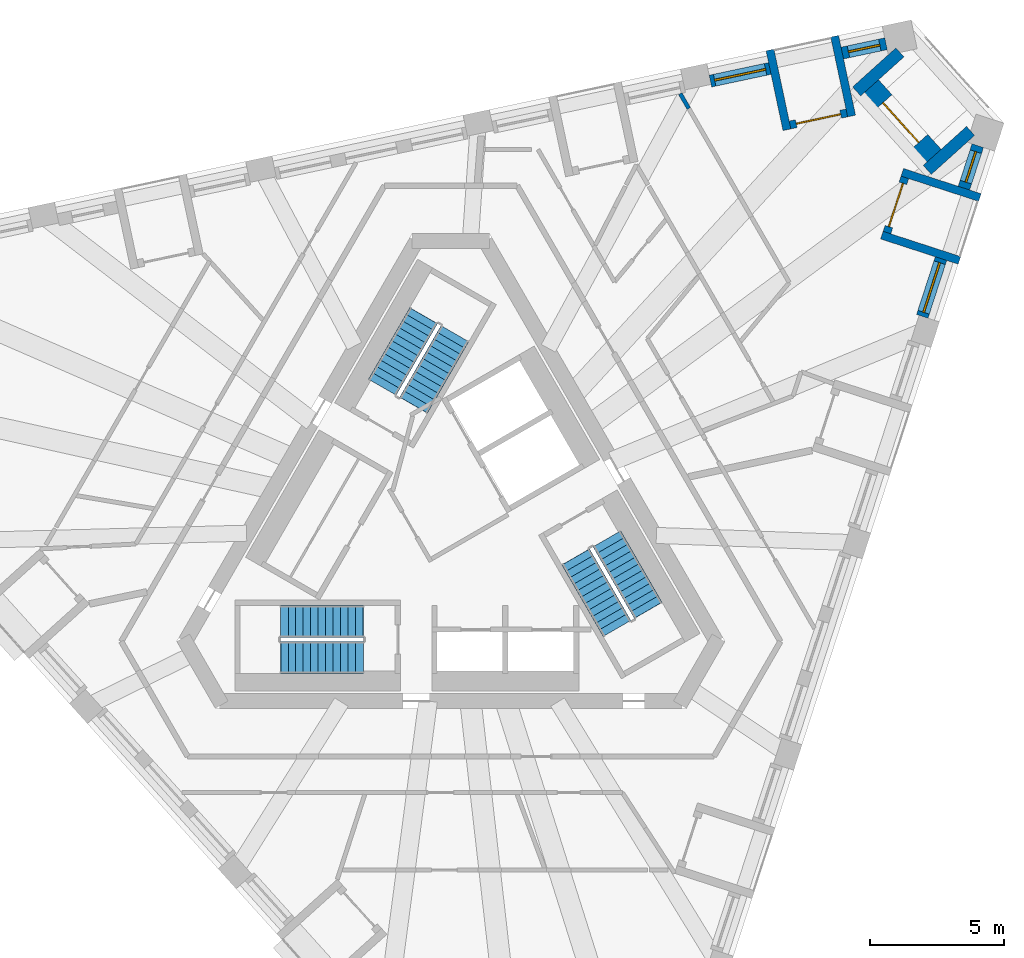
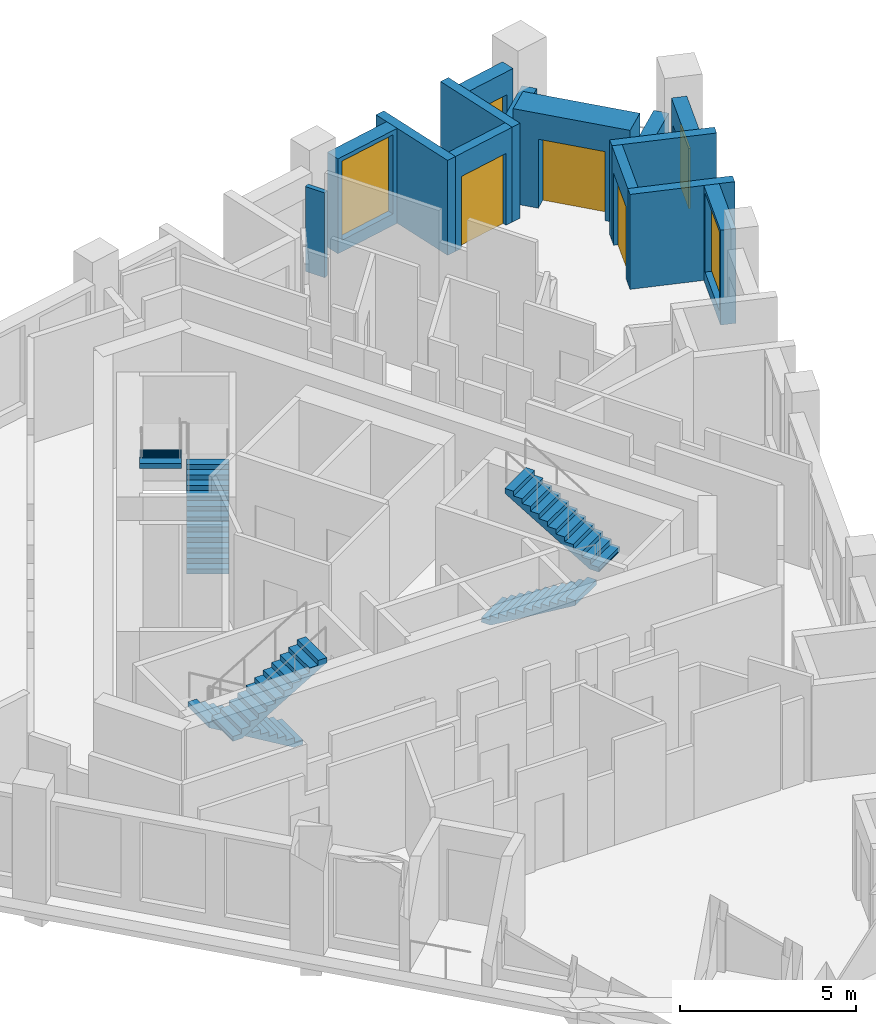
# One storey, part 8 of 12: 14 walls, 6 stair flights, 4 windows, 3 doors, 7 openings, 3 elements without a shape of their own.
"""IFC4 building model written with IfcOpenShell, lengths in metres."""

from ifc_helpers import new_model, si_unit, direction, frame, frame_2d, origin, place, context, subcontext, project, spatial, polyline, rectangle, outline, extrude, material, layer, layer_set, type_object, element, fill, aggregate, save


model = new_model("IFC4")

# Units and contexts
model_context = context("Model", 3, precision=1e-05, world=origin(), true_north=direction((0.0, 1.0)))
body_context = subcontext(model_context, "Body", "Model", "MODEL_VIEW")
ifc_project = project(units=[si_unit("LENGTHUNIT", "METRE"), si_unit("AREAUNIT", "SQUARE_METRE"), si_unit("VOLUMEUNIT", "CUBIC_METRE"), si_unit("PLANEANGLEUNIT", "RADIAN"), si_unit("MASSUNIT", "GRAM", prefix="KILO")], contexts=[model_context])

# Site, building, storey
site_placement = place(None, origin())
site = spatial("IfcSite", under=ifc_project, at=site_placement, CompositionType="ELEMENT")
building_placement = place(site_placement, origin())
building = spatial("IfcBuilding", under=site, at=building_placement, Name="Tramontana Tower", CompositionType="ELEMENT")
storey_placement = place(building_placement, frame((0.0, 0.0, 344.39990234375)))
storey = spatial("IfcBuildingStorey", under=building, at=storey_placement, Name="L79", CompositionType="ELEMENT", Elevation=344.39990234375)

# Wall, opening, window
ifc_material_1 = material(Name="Precast concrete 60 MPa", Category="concrete")
ifc_layer_1 = layer(ifc_material_1, 0.449951171875)
ifc_layer_set_1 = layer_set([ifc_layer_1], Name="Precast concrete 60 MPa, 450 mm")
wall_type_1 = type_object("IfcWallType", Name="EW1 Stone-faced precast wall 450", PredefinedType="SOLIDWALL", material=ifc_layer_set_1)
wall_1_placement = place(storey_placement, frame((17.632080078125, 7.9091796875, 0.0), z_axis=(0.0, 0.0, 1.0), x_axis=(0.309027740273, 0.951053024674, 0.0)))
wall_1 = element("IfcWall", 1, at=wall_1_placement, inside=storey, type_object=wall_type_1, Name="External wall L79 face 1 bay 5", PredefinedType="SOLIDWALL", context=body_context, shape_type="SweptSolid", body=[
    extrude(rectangle(XDim=2.271240234375, YDim=0.449951171875, at=frame_2d((1.1357421875, 0.0))), origin(), (0.0, 0.0, 1.0), 3.300048828125),
])
opening_1_placement = place(wall_1_placement, frame((0.16064453125, 0.0, 0.39990234375)))
opening_1 = element("IfcOpeningElement", 2, at=opening_1_placement, cuts=wall_1, Name="Opening M3", PredefinedType="OPENING", context=body_context, shape_type="SweptSolid", body=[
    extrude(rectangle(XDim=1.949951171875, YDim=2.75, at=frame_2d((0.97509765625, 1.375))), frame((0.0, 0.23486328125, 0.0), z_axis=(0.0, -1.0, 0.0), x_axis=(1.0, 0.0, 0.0)), (0.0, 0.0, 1.0), 0.469970703125),
])
ifc_material_2 = material(Name="Aluminum frame, double glazing unit", Category="aluminium")
window_type_1 = type_object("IfcWindowType", Name="M3 Window 1.95 x 2.75", PartitioningType="SINGLE_PANEL", PredefinedType="WINDOW", material=ifc_material_2)
window_1_placement = place(opening_1_placement, origin())
window_1 = element("IfcWindow", 3, at=window_1_placement, inside=storey, type_object=window_type_1, Name="Window M3 L79 face 1 module 13", OverallHeight=2.75, OverallWidth=1.949951171875, PartitioningType="SINGLE_PANEL", PredefinedType="WINDOW", context=body_context, shape_type="SweptSolid", body=[
    extrude(rectangle(XDim=1.949951171875, YDim=2.75, at=frame_2d((0.97509765625, 1.375))), frame((0.0, 0.030029296875, 0.0), z_axis=(0.0, -1.0, 0.0), x_axis=(1.0, 0.0, 0.0)), (0.0, 0.0, 1.0), 0.06005859375),
])
fill(opening_1, window_1)

wall_2_placement = place(storey_placement, frame((19.1904296875, 12.705078125, 0.0), z_axis=(0.0, 0.0, 1.0), x_axis=(0.30898696848, 0.951066271776, 0.0)))
wall_2 = element("IfcWall", 4, at=wall_2_placement, inside=storey, type_object=wall_type_1, Name="External wall L79 face 1 bay 5", PredefinedType="SOLIDWALL", context=body_context, shape_type="SweptSolid", body=[
    extrude(rectangle(XDim=1.671142578125, YDim=0.449951171875, at=frame_2d((0.83544921875, 0.0))), origin(), (0.0, 0.0, 1.0), 3.300048828125),
])
opening_2_placement = place(wall_2_placement, frame((0.235595703125, 0.0, 0.39990234375)))
opening_2 = element("IfcOpeningElement", 5, at=opening_2_placement, cuts=wall_2, Name="Opening N3L", PredefinedType="OPENING", context=body_context, shape_type="SweptSolid", body=[
    extrude(rectangle(XDim=1.199951171875, YDim=2.10009765625, at=frame_2d((0.60009765625, 1.050048828125))), frame((0.0, 0.23486328125, 0.0), z_axis=(0.0, -1.0, 0.0), x_axis=(1.0, 0.0, 0.0)), (0.0, 0.0, 1.0), 0.469970703125),
])
ifc_material_3 = material(Name="Aluminum frame, double glazing unit", Category="aluminium")
window_type_2 = type_object("IfcWindowType", Name="N3L Window 1.2 x 2.1", PartitioningType="SINGLE_PANEL", PredefinedType="WINDOW", material=ifc_material_3)
window_2_placement = place(opening_2_placement, origin())
window_2 = element("IfcWindow", 6, at=window_2_placement, inside=storey, type_object=window_type_2, Name="Window N3L L79 face 1 module 15", OverallHeight=2.10009765625, OverallWidth=1.199951171875, PartitioningType="SINGLE_PANEL", PredefinedType="WINDOW", context=body_context, shape_type="SweptSolid", body=[
    extrude(rectangle(XDim=1.199951171875, YDim=2.10009765625, at=frame_2d((0.60009765625, 1.050048828125))), frame((0.0, 0.030029296875, 0.0), z_axis=(0.0, -1.0, 0.0), x_axis=(1.0, 0.0, 0.0)), (0.0, 0.0, 1.0), 0.06005859375),
])
fill(opening_2, window_2)

wall_3_placement = place(storey_placement, frame((16.276123046875, 18.104736328125, 0.0), z_axis=(0.0, 0.0, 1.0), x_axis=(-0.978126168783, -0.208012494676, 0.0)))
wall_3 = element("IfcWall", 7, at=wall_3_placement, inside=storey, type_object=wall_type_1, Name="External wall L79 face 2 bay 1", PredefinedType="SOLIDWALL", context=body_context, shape_type="SweptSolid", body=[
    extrude(rectangle(XDim=1.67138671875, YDim=0.449951171875, at=frame_2d((0.835693359375, 0.0))), origin(), (0.0, 0.0, 1.0), 3.300048828125),
])
opening_3_placement = place(wall_3_placement, frame((0.235595703125, 0.0, 0.39990234375)))
opening_3 = element("IfcOpeningElement", 8, at=opening_3_placement, cuts=wall_3, Name="Opening N3L", PredefinedType="OPENING", context=body_context, shape_type="SweptSolid", body=[
    extrude(rectangle(XDim=1.199951171875, YDim=2.10009765625, at=frame_2d((0.60009765625, 1.050048828125))), frame((0.0, 0.23486328125, 0.0), z_axis=(0.0, -1.0, 0.0), x_axis=(1.0, 0.0, 0.0)), (0.0, 0.0, 1.0), 0.469970703125),
])
window_3_placement = place(opening_3_placement, origin())
window_3 = element("IfcWindow", 9, at=window_3_placement, inside=storey, type_object=window_type_2, Name="Window N3L L79 face 2 module 1", OverallHeight=2.10009765625, OverallWidth=1.199951171875, PartitioningType="SINGLE_PANEL", PredefinedType="WINDOW", context=body_context, shape_type="SweptSolid", body=[
    extrude(rectangle(XDim=1.199951171875, YDim=2.10009765625, at=frame_2d((0.60009765625, 1.050048828125))), frame((0.0, 0.030029296875, 0.0), z_axis=(0.0, -1.0, 0.0), x_axis=(1.0, 0.0, 0.0)), (0.0, 0.0, 1.0), 0.06005859375),
])
fill(opening_3, window_3)

wall_4_placement = place(storey_placement, frame((11.9306640625, 17.180908203125, 0.0), z_axis=(0.0, 0.0, 1.0), x_axis=(-0.978153386925, -0.207884467067, 0.0)))
wall_4 = element("IfcWall", 10, at=wall_4_placement, inside=storey, type_object=wall_type_1, Name="External wall L79 face 2 bay 1", PredefinedType="SOLIDWALL", context=body_context, shape_type="SweptSolid", body=[
    extrude(rectangle(XDim=2.271240234375, YDim=0.449951171875, at=frame_2d((1.1357421875, 0.0))), origin(), (0.0, 0.0, 1.0), 3.300048828125),
])
opening_4_placement = place(wall_4_placement, frame((0.16064453125, 0.0, 0.39990234375)))
opening_4 = element("IfcOpeningElement", 11, at=opening_4_placement, cuts=wall_4, Name="Opening M3", PredefinedType="OPENING", context=body_context, shape_type="SweptSolid", body=[
    extrude(rectangle(XDim=1.949951171875, YDim=2.75, at=frame_2d((0.97509765625, 1.375))), frame((0.0, 0.23486328125, 0.0), z_axis=(0.0, -1.0, 0.0), x_axis=(1.0, 0.0, 0.0)), (0.0, 0.0, 1.0), 0.469970703125),
])
window_4_placement = place(opening_4_placement, origin())
window_4 = element("IfcWindow", 12, at=window_4_placement, inside=storey, type_object=window_type_1, Name="Window M3 L79 face 2 module 3", OverallHeight=2.75, OverallWidth=1.949951171875, PartitioningType="SINGLE_PANEL", PredefinedType="WINDOW", context=body_context, shape_type="SweptSolid", body=[
    extrude(rectangle(XDim=1.949951171875, YDim=2.75, at=frame_2d((0.97509765625, 1.375))), frame((0.0, 0.030029296875, 0.0), z_axis=(0.0, -1.0, 0.0), x_axis=(1.0, 0.0, 0.0)), (0.0, 0.0, 1.0), 0.06005859375),
])
fill(opening_4, window_4)

# Walls
wall_5_placement = place(storey_placement, frame((16.795654296875, 17.780517578125, 0.0), z_axis=(0.0, 0.0, 1.0), x_axis=(-0.743165997662, -0.669107091518, 0.0)))
element("IfcWall", 13, at=wall_5_placement, inside=storey, type_object=wall_type_1, Name="Corner loggia side wall L79 K82l", PredefinedType="SOLIDWALL", context=body_context, shape_type="SweptSolid", body=[
    extrude(rectangle(XDim=2.178955078125, YDim=0.449951171875, at=frame_2d((1.08935546875, 0.0))), origin(), (0.0, 0.0, 1.0), 2.550048828125),
])
wall_6_placement = place(storey_placement, frame((19.438720703125, 14.84521484375, 0.0), z_axis=(0.0, 0.0, 1.0), x_axis=(-0.743110286166, -0.669168964159, 0.0)))
element("IfcWall", 14, at=wall_6_placement, inside=storey, type_object=wall_type_1, Name="Corner loggia side wall L79 K82r", PredefinedType="SOLIDWALL", context=body_context, shape_type="SweptSolid", body=[
    extrude(rectangle(XDim=2.17919921875, YDim=0.449951171875, at=frame_2d((1.089599609375, 0.0))), origin(), (0.0, 0.0, 1.0), 2.550048828125),
])

# Wall, opening, door
ifc_material_4 = material(Name="Precast concrete 60 MPa", Category="concrete")
ifc_layer_2 = layer(ifc_material_4, 0.89990234375)
ifc_layer_set_2 = layer_set([ifc_layer_2], Name="EW2 Stone-faced corner loggia wall 900")
wall_type_2 = type_object("IfcWallType", Name="EW2 Stone-faced corner loggia wall 900", PredefinedType="SOLIDWALL", material=ifc_layer_set_2)
wall_7_placement = place(storey_placement, frame((15.6611328125, 16.456298828125, 0.0), z_axis=(0.0, 0.0, 1.0), x_axis=(0.669134277936, -0.743141519559, 0.0)))
wall_7 = element("IfcWall", 15, at=wall_7_placement, inside=storey, type_object=wall_type_2, Name="Corner loggia wall L79 K82", PredefinedType="SOLIDWALL", context=body_context, shape_type="SweptSolid", body=[
    extrude(rectangle(XDim=3.5, YDim=0.89990234375, at=frame_2d((1.75, 0.0))), origin(), (0.0, 0.0, 1.0), 3.300048828125),
])
opening_5_placement = place(wall_7_placement, frame((0.75, 0.0, 0.0)))
opening_5 = element("IfcOpeningElement", 16, at=opening_5_placement, cuts=wall_7, Name="Opening BD-82C", PredefinedType="OPENING", context=body_context, shape_type="SweptSolid", body=[
    extrude(rectangle(XDim=2.0, YDim=2.39990234375, at=frame_2d((1.0, 1.199951171875))), frame((0.0, 0.4599609375, 0.0), z_axis=(0.0, -1.0, 0.0), x_axis=(1.0, 0.0, 0.0)), (0.0, 0.0, 1.0), 0.919921875),
])
ifc_material_5 = material(Name="Aluminum frame, double glazing unit", Category="aluminium")
door_type_1 = type_object("IfcDoorType", Name="BC1 Sliding door 2 x 2.4", OperationType="SLIDING_TO_LEFT", PredefinedType="DOOR", material=ifc_material_5)
door_1_placement = place(opening_5_placement, origin())
door_1 = element("IfcDoor", 17, at=door_1_placement, inside=storey, type_object=door_type_1, Name="Corner loggia door L79 K82", OperationType="SLIDING_TO_LEFT", OverallHeight=2.39990234375, OverallWidth=2.0, PredefinedType="DOOR", context=body_context, shape_type="SweptSolid", body=[
    extrude(rectangle(XDim=2.0, YDim=2.39990234375, at=frame_2d((1.0, 1.199951171875))), frame((0.0, 0.02490234375, 0.0), z_axis=(0.0, -1.0, 0.0), x_axis=(1.0, 0.0, 0.0)), (0.0, 0.0, 1.0), 0.050048828125),
])
fill(opening_5, door_1)

ifc_material_6 = material(Name="Precast concrete 60 MPa", Category="concrete")
ifc_layer_3 = layer(ifc_material_6, 0.300048828125)
ifc_layer_set_3 = layer_set([ifc_layer_3], Name="LW1 Stone-faced loggia wall 300")
wall_type_3 = type_object("IfcWallType", Name="LW1 Stone-faced loggia wall 300", PredefinedType="SOLIDWALL", material=ifc_layer_set_3)
wall_8_placement = place(storey_placement, frame((16.310546875, 11.042236328125, 0.0), z_axis=(0.0, 0.0, 1.0), x_axis=(0.308999623589, 0.95106216023, 0.0)))
wall_8 = element("IfcWall", 18, at=wall_8_placement, inside=storey, type_object=wall_type_3, Name="Loggia wall L79 G8S1.13", PredefinedType="SOLIDWALL", context=body_context, shape_type="SweptSolid", body=[
    extrude(rectangle(XDim=2.171142578125, YDim=0.300048828125, at=frame_2d((1.08544921875, 0.0))), origin(), (0.0, 0.0, 1.0), 3.300048828125),
])
opening_6_placement = place(wall_8_placement, frame((0.235595703125, 0.0, 0.0)))
opening_6 = element("IfcOpeningElement", 19, at=opening_6_placement, cuts=wall_8, Name="Opening BD-8S1-13", PredefinedType="OPENING", context=body_context, shape_type="SweptSolid", body=[
    extrude(rectangle(XDim=1.699951171875, YDim=2.5, at=frame_2d((0.85009765625, 1.25))), frame((0.0, 0.159912109375, 0.0), z_axis=(0.0, -1.0, 0.0), x_axis=(1.0, 0.0, 0.0)), (0.0, 0.0, 1.0), 0.320068359375),
])
ifc_material_7 = material(Name="Aluminum frame, double glazing unit", Category="aluminium")
door_type_2 = type_object("IfcDoorType", Name="BD3 Sliding door 1.7 x 2.5", OperationType="SLIDING_TO_LEFT", PredefinedType="DOOR", material=ifc_material_7)
door_2_placement = place(opening_6_placement, origin())
door_2 = element("IfcDoor", 20, at=door_2_placement, inside=storey, type_object=door_type_2, Name="Loggia door L79 G8S1.13", OperationType="SLIDING_TO_LEFT", OverallHeight=2.5, OverallWidth=1.699951171875, PredefinedType="DOOR", context=body_context, shape_type="SweptSolid", body=[
    extrude(rectangle(XDim=1.699951171875, YDim=2.5, at=frame_2d((0.85009765625, 1.25))), frame((0.0, 0.02490234375, 0.0), z_axis=(0.0, -1.0, 0.0), x_axis=(1.0, 0.0, 0.0)), (0.0, 0.0, 1.0), 0.050048828125),
])
fill(opening_6, door_2)

# Walls
for number, where, z_axis, x_axis, name in (
    (21, (19.022216796875, 10.00341796875, 0.0), (0.0, 0.0, 1.0), (-0.951041715693, 0.309062542235, 0.0), "Loggia return L79 G8S1.13a"),
    (22, (19.785888671875, 12.353759765625, 0.0), (0.0, 0.0, 1.0), (-0.951041715693, 0.309062542235, 0.0), "Loggia return L79 G8S1.13b"),
):
    element("IfcWall", number, at=place(storey_placement, frame(where, z_axis=z_axis, x_axis=x_axis)), inside=storey, type_object=wall_type_3, Name=name, PredefinedType="SOLIDWALL", context=body_context, shape_type="SweptSolid", body=[
        extrude(rectangle(XDim=3.050048828125, YDim=0.300048828125, at=frame_2d((1.52490234375, 0.0))), origin(), (0.0, 0.0, 1.0), 3.300048828125),
    ])

# Wall, opening, door
wall_9_placement = place(storey_placement, frame((14.810546875, 15.518310546875, 0.0), z_axis=(0.0, 0.0, 1.0), x_axis=(-0.978148276005, -0.207908513891, 0.0)))
wall_9 = element("IfcWall", 23, at=wall_9_placement, inside=storey, type_object=wall_type_3, Name="Loggia wall L79 G8S2.1", PredefinedType="SOLIDWALL", context=body_context, shape_type="SweptSolid", body=[
    extrude(rectangle(XDim=2.171142578125, YDim=0.300048828125, at=frame_2d((1.08544921875, 0.0))), origin(), (0.0, 0.0, 1.0), 3.300048828125),
])
opening_7_placement = place(wall_9_placement, frame((0.235595703125, 0.0, 0.0)))
opening_7 = element("IfcOpeningElement", 24, at=opening_7_placement, cuts=wall_9, Name="Opening BD-8S2-01", PredefinedType="OPENING", context=body_context, shape_type="SweptSolid", body=[
    extrude(rectangle(XDim=1.699951171875, YDim=2.5, at=frame_2d((0.85009765625, 1.25))), frame((0.0, 0.159912109375, 0.0), z_axis=(0.0, -1.0, 0.0), x_axis=(1.0, 0.0, 0.0)), (0.0, 0.0, 1.0), 0.320068359375),
])
door_3_placement = place(opening_7_placement, origin())
door_3 = element("IfcDoor", 25, at=door_3_placement, inside=storey, type_object=door_type_2, Name="Loggia door L79 G8S2.1", OperationType="SLIDING_TO_LEFT", OverallHeight=2.5, OverallWidth=1.699951171875, PredefinedType="DOOR", context=body_context, shape_type="SweptSolid", body=[
    extrude(rectangle(XDim=1.699951171875, YDim=2.5, at=frame_2d((0.85009765625, 1.25))), frame((0.0, 0.02490234375, 0.0), z_axis=(0.0, -1.0, 0.0), x_axis=(1.0, 0.0, 0.0)), (0.0, 0.0, 1.0), 0.050048828125),
])
fill(opening_7, door_3)

# Walls
wall_10_placement = place(storey_placement, frame((14.354248046875, 18.38623046875, 0.0), z_axis=(0.0, 0.0, 1.0), x_axis=(0.207954487003, -0.978138503145, 0.0)))
element("IfcWall", 26, at=wall_10_placement, inside=storey, type_object=wall_type_3, Name="Loggia return L79 G8S2.1a", PredefinedType="SOLIDWALL", context=body_context, shape_type="SweptSolid", body=[
    extrude(rectangle(XDim=3.050048828125, YDim=0.300048828125, at=frame_2d((1.52490234375, 0.0))), origin(), (0.0, 0.0, 1.0), 3.300048828125),
])
wall_11_placement = place(storey_placement, frame((11.93701171875, 17.872314453125, 0.0), z_axis=(0.0, 0.0, 1.0), x_axis=(0.207894179953, -0.978151322619, 0.0)))
element("IfcWall", 27, at=wall_11_placement, inside=storey, type_object=wall_type_3, Name="Loggia return L79 G8S2.1b", PredefinedType="SOLIDWALL", context=body_context, shape_type="SweptSolid", body=[
    extrude(rectangle(XDim=3.0498046875, YDim=0.300048828125, at=frame_2d((1.52490234375, 0.0))), origin(), (0.0, 0.0, 1.0), 3.300048828125),
])
ifc_material_8 = material(Name="Gypsum board partition")
ifc_layer_4 = layer(ifc_material_8, 0.14990234375)
ifc_layer_set_4 = layer_set([ifc_layer_4], Name="PARTITION 150")
wall_type_4 = type_object("IfcWallType", Name="PARTITION 150", PredefinedType="PARTITIONING", material=ifc_layer_set_4)
wall_12_placement = place(storey_placement, frame((8.900634765625, 15.683837890625, 0.0), z_axis=(0.0, 0.0, 1.0), x_axis=(-0.500118698802, 0.865956862152, 0.0)))
element("IfcWall", 28, at=wall_12_placement, inside=storey, type_object=wall_type_4, Name="Wall v82-pw25-4", PredefinedType="PARTITIONING", context=body_context, shape_type="SweptSolid", body=[
    extrude(rectangle(XDim=0.639892578125, YDim=0.14990234375, at=frame_2d((0.31982421875, 0.0))), origin(), (0.0, 0.0, 1.0), 2.9501953125),
])

# Stair, stair flights
ifc_material_9 = material(Name="Concrete 40 MPa", Category="concrete")
stair_type = type_object("IfcStairType", Name="EXIT STAIR 24 RISERS", PredefinedType="HALF_TURN_STAIR", material=ifc_material_9)
stair_1_placement = place(storey_placement, origin())
stair_1 = element("IfcStair", 29, at=stair_1_placement, inside=storey, type_object=stair_type, Name="L79 Exit stair ST1", PredefinedType="HALF_TURN_STAIR")
ifc_material_10 = material(Name="Concrete 40 MPa", Category="concrete")
ifc_layer_5 = layer(ifc_material_10, 0.14990234375)
ifc_layer_set_5 = layer_set([ifc_layer_5], Name="EXIT STAIR FLIGHT")
stair_flight_type = type_object("IfcStairFlightType", Name="EXIT STAIR FLIGHT", PredefinedType="STRAIGHT", material=ifc_layer_set_5)
stair_flight_1_placement = place(storey_placement, frame((-1.39111328125, 4.590576171875, 0.0), z_axis=(0.0, 0.0, 1.0), x_axis=(0.5, 0.866025403784, 0.0)))
stair_flight_1 = element("IfcStairFlight", 30, at=stair_flight_1_placement, type_object=stair_flight_type, Name="ST1 flight 1", NumberOfRisers=12, NumberOfTreads=11, PredefinedType="STRAIGHT", RiserHeight=0.166666667, TreadLength=0.28, context=body_context, shape_type="SweptSolid", body=[
    extrude(outline(polyline([(-0.006103515625, 0.0), (-0.006103515625, 0.0400390625), (0.0, 0.0400390625), (0.0, 0.166748046875), (0.280029296875, 0.166748046875), (0.280029296875, 0.333251953125), (0.56005859375, 0.333251953125), (0.56005859375, 0.5), (0.840087890625, 0.5), (0.840087890625, 0.666748046875), (1.1201171875, 0.666748046875), (1.1201171875, 0.833251953125), (1.39990234375, 0.833251953125), (1.39990234375, 1.0), (1.679931640625, 1.0), (1.679931640625, 1.166748046875), (1.9599609375, 1.166748046875), (1.9599609375, 1.333251953125), (2.239990234375, 1.333251953125), (2.239990234375, 1.5), (2.52001953125, 1.5), (2.52001953125, 1.666748046875), (2.800048828125, 1.666748046875), (2.800048828125, 1.833251953125), (3.080078125, 1.833251953125), (3.0859375, 1.833251953125), (3.0859375, 1.658935546875), (0.299072265625, 0.0), (-0.006103515625, 0.0)])), frame((0.0, 0.60009765625, 0.0), z_axis=(0.0, -1.0, 0.0), x_axis=(1.0, 0.0, 0.0)), (0.0, 0.0, 1.0), 1.199951171875),
])
stair_flight_2_placement = place(storey_placement, frame((-1.020263671875, 7.932861328125, 2.0), z_axis=(0.0, 0.0, 1.0), x_axis=(-0.5, -0.866025403784, 0.0)))
stair_flight_2 = element("IfcStairFlight", 31, at=stair_flight_2_placement, type_object=stair_flight_type, Name="ST1 flight 2", NumberOfRisers=12, NumberOfTreads=11, PredefinedType="STRAIGHT", RiserHeight=0.166666667, TreadLength=0.28, context=body_context, shape_type="SweptSolid", body=[
    extrude(outline(polyline([(-0.006103515625, 0.0), (-0.006103515625, 0.0400390625), (0.0, 0.0400390625), (0.0, 0.166748046875), (0.280029296875, 0.166748046875), (0.280029296875, 0.333251953125), (0.56005859375, 0.333251953125), (0.56005859375, 0.5), (0.840087890625, 0.5), (0.840087890625, 0.666748046875), (1.1201171875, 0.666748046875), (1.1201171875, 0.833251953125), (1.39990234375, 0.833251953125), (1.39990234375, 1.0), (1.679931640625, 1.0), (1.679931640625, 1.166748046875), (1.9599609375, 1.166748046875), (1.9599609375, 1.333251953125), (2.239990234375, 1.333251953125), (2.239990234375, 1.5), (2.52001953125, 1.5), (2.52001953125, 1.666748046875), (2.800048828125, 1.666748046875), (2.800048828125, 1.833251953125), (3.080078125, 1.833251953125), (3.0859375, 1.833251953125), (3.0859375, 1.658935546875), (0.299072265625, 0.0), (-0.006103515625, 0.0)])), frame((0.0, 0.60009765625, 0.0), z_axis=(0.0, -1.0, 0.0), x_axis=(1.0, 0.0, 0.0)), (0.0, 0.0, 1.0), 1.199951171875),
])
aggregate(stair_1, [stair_flight_1, stair_flight_2])

stair_2_placement = place(storey_placement, origin())
stair_2 = element("IfcStair", 32, at=stair_2_placement, inside=storey, type_object=stair_type, Name="L79 Exit stair ST2", PredefinedType="HALF_TURN_STAIR")
stair_flight_3_placement = place(storey_placement, frame((-3.280029296875, -3.5, 0.0), z_axis=(0.0, 0.0, 1.0), x_axis=(-1.0, 0.0, 0.0)))
stair_flight_3 = element("IfcStairFlight", 33, at=stair_flight_3_placement, type_object=stair_flight_type, Name="ST2 flight 1", NumberOfRisers=12, NumberOfTreads=11, PredefinedType="STRAIGHT", RiserHeight=0.166666667, TreadLength=0.28, context=body_context, shape_type="SweptSolid", body=[
    extrude(outline(polyline([(-0.006103515625, 0.0), (-0.006103515625, 0.0400390625), (0.0, 0.0400390625), (0.0, 0.166748046875), (0.280029296875, 0.166748046875), (0.280029296875, 0.333251953125), (0.56005859375, 0.333251953125), (0.56005859375, 0.5), (0.840087890625, 0.5), (0.840087890625, 0.666748046875), (1.1201171875, 0.666748046875), (1.1201171875, 0.833251953125), (1.39990234375, 0.833251953125), (1.39990234375, 1.0), (1.679931640625, 1.0), (1.679931640625, 1.166748046875), (1.9599609375, 1.166748046875), (1.9599609375, 1.333251953125), (2.239990234375, 1.333251953125), (2.239990234375, 1.5), (2.52001953125, 1.5), (2.52001953125, 1.666748046875), (2.800048828125, 1.666748046875), (2.800048828125, 1.833251953125), (3.080078125, 1.833251953125), (3.0859375, 1.833251953125), (3.0859375, 1.658935546875), (0.299072265625, 0.0), (-0.006103515625, 0.0)])), frame((0.0, 0.60009765625, 0.0), z_axis=(0.0, -1.0, 0.0), x_axis=(1.0, 0.0, 0.0)), (0.0, 0.0, 1.0), 1.199951171875),
])
stair_flight_4_placement = place(storey_placement, frame((-6.360107421875, -4.85009765625, 2.0), z_axis=(0.0, 0.0, 1.0), x_axis=(1.0, 0.0, 0.0)))
stair_flight_4 = element("IfcStairFlight", 34, at=stair_flight_4_placement, type_object=stair_flight_type, Name="ST2 flight 2", NumberOfRisers=12, NumberOfTreads=11, PredefinedType="STRAIGHT", RiserHeight=0.166666667, TreadLength=0.28, context=body_context, shape_type="SweptSolid", body=[
    extrude(outline(polyline([(-0.006103515625, 0.0), (-0.006103515625, 0.0400390625), (0.0, 0.0400390625), (0.0, 0.166748046875), (0.280029296875, 0.166748046875), (0.280029296875, 0.333251953125), (0.56005859375, 0.333251953125), (0.56005859375, 0.5), (0.840087890625, 0.5), (0.840087890625, 0.666748046875), (1.1201171875, 0.666748046875), (1.1201171875, 0.833251953125), (1.39990234375, 0.833251953125), (1.39990234375, 1.0), (1.679931640625, 1.0), (1.679931640625, 1.166748046875), (1.9599609375, 1.166748046875), (1.9599609375, 1.333251953125), (2.239990234375, 1.333251953125), (2.239990234375, 1.5), (2.52001953125, 1.5), (2.52001953125, 1.666748046875), (2.800048828125, 1.666748046875), (2.800048828125, 1.833251953125), (3.080078125, 1.833251953125), (3.0859375, 1.833251953125), (3.0859375, 1.658935546875), (0.299072265625, 0.0), (-0.006103515625, 0.0)])), frame((0.0, 0.60009765625, 0.0), z_axis=(0.0, -1.0, 0.0), x_axis=(1.0, 0.0, 0.0)), (0.0, 0.0, 1.0), 1.199951171875),
])
aggregate(stair_2, [stair_flight_3, stair_flight_4])

stair_3_placement = place(storey_placement, origin())
stair_3 = element("IfcStair", 35, at=stair_3_placement, inside=storey, type_object=stair_type, Name="L79 Exit stair ST3", PredefinedType="HALF_TURN_STAIR")
stair_flight_5_placement = place(storey_placement, frame((4.671142578125, -1.090576171875, 0.0), z_axis=(0.0, 0.0, 1.0), x_axis=(0.5, -0.866025403784, 0.0)))
stair_flight_5 = element("IfcStairFlight", 36, at=stair_flight_5_placement, type_object=stair_flight_type, Name="ST3 flight 1", NumberOfRisers=12, NumberOfTreads=11, PredefinedType="STRAIGHT", RiserHeight=0.166666667, TreadLength=0.28, context=body_context, shape_type="SweptSolid", body=[
    extrude(outline(polyline([(-0.006103515625, 0.0), (-0.006103515625, 0.0400390625), (0.0, 0.0400390625), (0.0, 0.166748046875), (0.280029296875, 0.166748046875), (0.280029296875, 0.333251953125), (0.56005859375, 0.333251953125), (0.56005859375, 0.5), (0.840087890625, 0.5), (0.840087890625, 0.666748046875), (1.1201171875, 0.666748046875), (1.1201171875, 0.833251953125), (1.39990234375, 0.833251953125), (1.39990234375, 1.0), (1.679931640625, 1.0), (1.679931640625, 1.166748046875), (1.9599609375, 1.166748046875), (1.9599609375, 1.333251953125), (2.239990234375, 1.333251953125), (2.239990234375, 1.5), (2.52001953125, 1.5), (2.52001953125, 1.666748046875), (2.800048828125, 1.666748046875), (2.800048828125, 1.833251953125), (3.080078125, 1.833251953125), (3.0859375, 1.833251953125), (3.0859375, 1.658935546875), (0.299072265625, 0.0), (-0.006103515625, 0.0)])), frame((0.0, 0.60009765625, 0.0), z_axis=(0.0, -1.0, 0.0), x_axis=(1.0, 0.0, 0.0)), (0.0, 0.0, 1.0), 1.199951171875),
])
stair_flight_6_placement = place(storey_placement, frame((7.380126953125, -3.0830078125, 2.0), z_axis=(0.0, 0.0, 1.0), x_axis=(-0.5, 0.866025403784, 0.0)))
stair_flight_6 = element("IfcStairFlight", 37, at=stair_flight_6_placement, type_object=stair_flight_type, Name="ST3 flight 2", NumberOfRisers=12, NumberOfTreads=11, PredefinedType="STRAIGHT", RiserHeight=0.166666667, TreadLength=0.28, context=body_context, shape_type="SweptSolid", body=[
    extrude(outline(polyline([(-0.006103515625, 0.0), (-0.006103515625, 0.0400390625), (0.0, 0.0400390625), (0.0, 0.166748046875), (0.280029296875, 0.166748046875), (0.280029296875, 0.333251953125), (0.56005859375, 0.333251953125), (0.56005859375, 0.5), (0.840087890625, 0.5), (0.840087890625, 0.666748046875), (1.1201171875, 0.666748046875), (1.1201171875, 0.833251953125), (1.39990234375, 0.833251953125), (1.39990234375, 1.0), (1.679931640625, 1.0), (1.679931640625, 1.166748046875), (1.9599609375, 1.166748046875), (1.9599609375, 1.333251953125), (2.239990234375, 1.333251953125), (2.239990234375, 1.5), (2.52001953125, 1.5), (2.52001953125, 1.666748046875), (2.800048828125, 1.666748046875), (2.800048828125, 1.833251953125), (3.080078125, 1.833251953125), (3.0859375, 1.833251953125), (3.0859375, 1.658935546875), (0.299072265625, 0.0), (-0.006103515625, 0.0)])), frame((0.0, 0.60009765625, 0.0), z_axis=(0.0, -1.0, 0.0), x_axis=(1.0, 0.0, 0.0)), (0.0, 0.0, 1.0), 1.199951171875),
])
aggregate(stair_3, [stair_flight_5, stair_flight_6])

save(model, "model.ifc")
